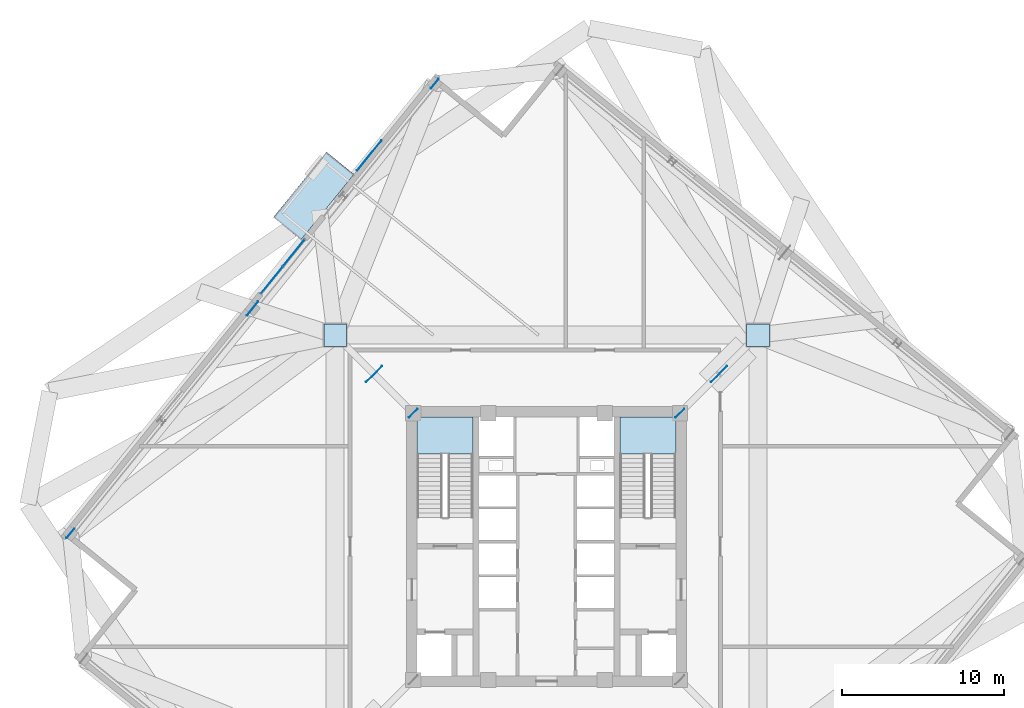
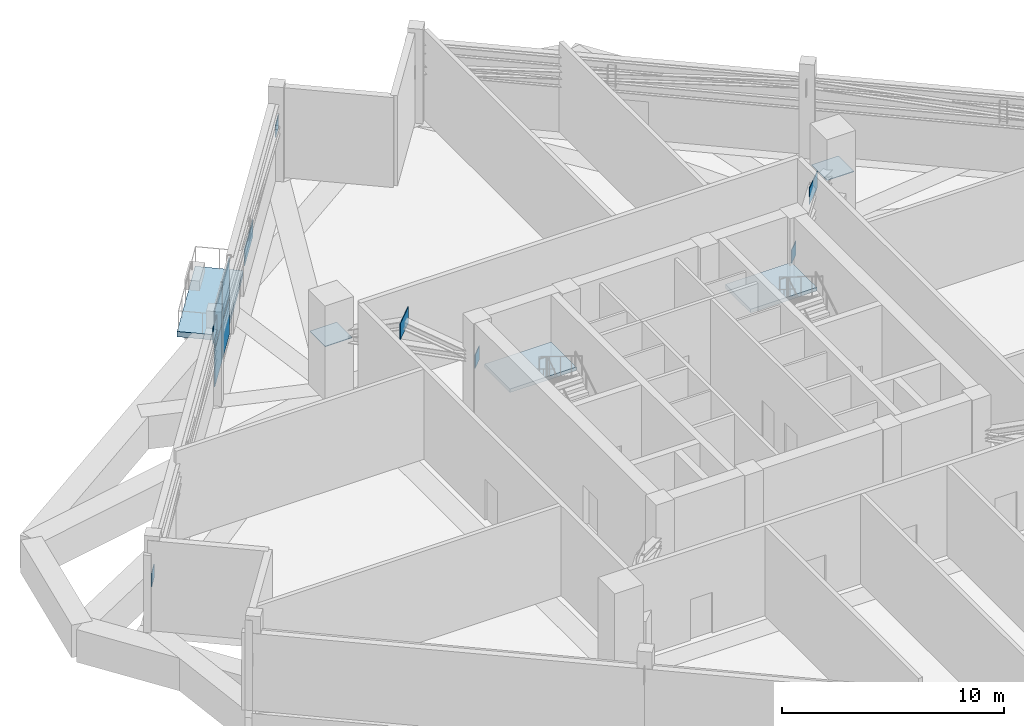
# One storey, part 15 of 22: 14 plates, 3 slabs, 3 elements without a shape of their own.
"""IFC4 building model written with IfcOpenShell, lengths in metres."""

import ifcopenshell
import ifcopenshell.guid

model = None  # the IFC model being written
_history = None  # IfcOwnerHistory: only IFC2X3 demands one
_inside = {}  # id of a spatial element -> (the spatial element, [elements in it])
_under = {}  # id of a project, library or spatial element -> (it, [spatial elements below it])
_declared = {}  # id of a project -> (the project, [libraries it declares])
_typed = {}  # id of a type object -> (the type object, [elements of that type])
_made_of = {}  # id of a material, layer set ... -> (it, [elements and type objects made of it])


def new_model(schema):
    """Start an empty IFC model of exactly this schema.

    Asked for "IFC4X3", IfcOpenShell would pick the latest addendum, in which some entities
    have other attributes; the version numbers below select the first issue.
    IFC2X3 requires an IfcOwnerHistory on every rooted entity: one is made here for all.
    """
    global model, _history
    if schema == "IFC4X3":
        model = ifcopenshell.file(schema_version=(4, 3, 0, 0))
    else:
        model = ifcopenshell.file(schema=schema)
    _inside.clear()
    _under.clear()
    _declared.clear()
    _typed.clear()
    _made_of.clear()
    _history = None
    if model.schema == "IFC2X3":
        org = make("IfcOrganization", Name="unknown")
        user = make(
            "IfcPersonAndOrganization",
            ThePerson=make("IfcPerson", FamilyName="unknown"),
            TheOrganization=org,
        )
        app = make(
            "IfcApplication",
            ApplicationDeveloper=org,
            Version="unknown",
            ApplicationFullName="unknown",
            ApplicationIdentifier="unknown",
        )
        _history = make(
            "IfcOwnerHistory",
            OwningUser=user,
            OwningApplication=app,
            ChangeAction="ADDED",
            CreationDate=0,
        )
    return model


def make(cls, **values):
    """One entity of the class cls with the attributes given. An attribute that is None is left unset."""
    return model.create_entity(
        cls, **{name: value for name, value in values.items() if value is not None}
    )


def rooted(cls, **values):
    """An entity with a GlobalId (a new one), such as an element, a storey or a relation."""
    return make(cls, GlobalId=ifcopenshell.guid.new(), OwnerHistory=_history, **values)


def si_unit(unit_type, name, prefix=None):
    """IfcSIUnit, for example si_unit("LENGTHUNIT", "METRE", prefix="MILLI")."""
    return make("IfcSIUnit", UnitType=unit_type, Prefix=prefix, Name=name)


def assignment(units):
    """IfcUnitAssignment: the units of a project."""
    return None if units is None else make("IfcUnitAssignment", Units=units)


def point(xyz):
    """IfcCartesianPoint."""
    return None if xyz is None else make("IfcCartesianPoint", Coordinates=xyz)


def direction(xyz):
    """IfcDirection."""
    return None if xyz is None else make("IfcDirection", DirectionRatios=xyz)


def frame(location, z_axis=None, x_axis=None):
    """IfcAxis2Placement3D, a coordinate frame: its origin and axes. An axis left out is left unset."""
    return make(
        "IfcAxis2Placement3D",
        Location=point(location),
        Axis=direction(z_axis),
        RefDirection=direction(x_axis),
    )


def frame_2d(location, x_axis=None):
    """IfcAxis2Placement2D, a coordinate frame in the plane: its origin and x axis."""
    return make(
        "IfcAxis2Placement2D", Location=point(location), RefDirection=direction(x_axis)
    )


def origin():
    """The frame at (0, 0, 0) with its axes left unset."""
    return frame((0.0, 0.0, 0.0))


def origin_2d():
    """The frame at (0, 0) in the plane with its x axis left unset."""
    return frame_2d((0.0, 0.0))


def place(relative_to, where):
    """IfcLocalPlacement: puts the frame where relative to a parent placement (None: the world)."""
    return make(
        "IfcLocalPlacement", PlacementRelTo=relative_to, RelativePlacement=where
    )


def context(
    kind, dimensions, precision=None, world=None, true_north=None, identifier=None
):
    """IfcGeometricRepresentationContext, for example the 3D "Model" context."""
    return make(
        "IfcGeometricRepresentationContext",
        ContextIdentifier=identifier,
        ContextType=kind,
        CoordinateSpaceDimension=dimensions,
        Precision=precision,
        WorldCoordinateSystem=world,
        TrueNorth=true_north,
    )


def subcontext(parent, identifier, kind, view, scale=None):
    """IfcGeometricRepresentationSubContext, for example "Body" below "Model"."""
    return make(
        "IfcGeometricRepresentationSubContext",
        ContextIdentifier=identifier,
        ContextType=kind,
        ParentContext=parent,
        TargetScale=scale,
        TargetView=view,
    )


def project(units=None, contexts=None):
    """IfcProject with its units and contexts."""
    return rooted(
        "IfcProject",
        Name="project",
        RepresentationContexts=contexts,
        UnitsInContext=assignment(units),
    )


def spatial(cls, under=None, at=None, **own):
    """A site, building, storey or space (cls), placed at a placement, below another one or the project."""
    s = rooted(cls, ObjectPlacement=at, **own)
    if under is not None:
        _under.setdefault(under.id(), (under, []))[1].append(s)
    return s


def polyline(points):
    """IfcPolyline through the points."""
    return make("IfcPolyline", Points=[point(p) for p in points])


def profile(cls, at=None, kind="AREA", **sizes):
    """A parametric profile (cls). Its sizes go by their IFC names, for example OverallWidth=200.0."""
    return make(cls, ProfileType=kind, Position=at, **sizes)


def rectangle(**sizes):
    """IfcRectangleProfileDef."""
    return profile("IfcRectangleProfileDef", **sizes)


def outline(outer, holes=None, kind="AREA"):
    """IfcArbitraryClosedProfileDef: a profile drawn as a closed curve; with holes, ...WithVoids."""
    if holes is None:
        return make("IfcArbitraryClosedProfileDef", ProfileType=kind, OuterCurve=outer)
    return make(
        "IfcArbitraryProfileDefWithVoids",
        ProfileType=kind,
        OuterCurve=outer,
        InnerCurves=holes,
    )


def extrude(swept, where, along, depth):
    """IfcExtrudedAreaSolid: the profile swept, set in the frame where, extruded along a direction by depth."""
    return make(
        "IfcExtrudedAreaSolid",
        SweptArea=swept,
        Position=where,
        ExtrudedDirection=direction(along),
        Depth=depth,
    )


def shape(context_of_items, identifier, shape_type, items):
    """IfcShapeRepresentation: the items that make up one representation, for example the "Body"."""
    return make(
        "IfcShapeRepresentation",
        ContextOfItems=context_of_items,
        RepresentationIdentifier=identifier,
        RepresentationType=shape_type,
        Items=items,
    )


def source(mapping_origin, context_of_items, identifier, shape_type, items):
    """IfcRepresentationMap: a shape defined once, which mapped items show again and again."""
    return make(
        "IfcRepresentationMap",
        MappingOrigin=mapping_origin,
        MappedRepresentation=shape(context_of_items, identifier, shape_type, items),
    )


def transform(
    local_origin,
    x_axis=None,
    y_axis=None,
    z_axis=None,
    scale=None,
    scale2=None,
    scale3=None,
    uniform=True,
):
    """IfcCartesianTransformationOperator3D, or its non-uniform kind. x_axis, y_axis, z_axis: its Axis1, 2, 3."""
    if uniform:
        return make(
            "IfcCartesianTransformationOperator3D",
            Axis1=direction(x_axis),
            Axis2=direction(y_axis),
            LocalOrigin=point(local_origin),
            Scale=scale,
            Axis3=direction(z_axis),
        )
    return make(
        "IfcCartesianTransformationOperator3DnonUniform",
        Axis1=direction(x_axis),
        Axis2=direction(y_axis),
        LocalOrigin=point(local_origin),
        Scale=scale,
        Axis3=direction(z_axis),
        Scale2=scale2,
        Scale3=scale3,
    )


def mapped(mapping_source, mapping_target):
    """IfcMappedItem: shows the shape of a source again, moved by a transform."""
    return make(
        "IfcMappedItem", MappingSource=mapping_source, MappingTarget=mapping_target
    )


def material(Name=None, Category=None):
    """IfcMaterial."""
    return make("IfcMaterial", Name=Name, Category=Category)


def layer(
    of_material, thickness, ventilated=None, Name=None, Category=None, Priority=None
):
    """IfcMaterialLayer: one layer of a wall or slab, of a material (None: an air gap)."""
    return make(
        "IfcMaterialLayer",
        Material=of_material,
        LayerThickness=thickness,
        IsVentilated=ventilated,
        Name=Name,
        Category=Category,
        Priority=Priority,
    )


def layer_set(layers, Name=None):
    """IfcMaterialLayerSet."""
    return make("IfcMaterialLayerSet", MaterialLayers=layers, LayerSetName=Name)


def made_of(thing, what):
    """Note that an element or type object is made of a material, layer set ...; save() writes the relation."""
    if what is not None:
        _made_of.setdefault(what.id(), (what, []))[1].append(thing)
    return thing


def type_object(cls, material=None, **own):
    """A type object (cls), such as IfcWallType, which elements share."""
    return made_of(rooted(cls, **own), material)


def element(
    cls,
    number,
    at=None,
    inside=None,
    cuts=None,
    type_object=None,
    material=None,
    context=None,
    identifier="Body",
    shape_type=None,
    held_by="IfcProductDefinitionShape",
    body=None,
    shapes=None,
    **own,
):
    """One element of the class cls, such as IfcWall. Its Tag is "e" and its number.

    at: its placement. inside: the storey or other place that contains it. cuts: it is an
    opening in that element (IfcRelVoidsElement). A single representation is given by context,
    identifier, shape_type and body (its items); several are given by shapes. held_by: the class
    of the entity that holds the representations. save() writes the other relations.
    """
    e = rooted(cls, Tag="e%d" % number, ObjectPlacement=at, **own)
    if body is not None:
        shapes = [shape(context, identifier, shape_type, body)]
    if shapes is not None:
        e.Representation = make(held_by, Representations=shapes)
    if inside is not None:
        _inside.setdefault(inside.id(), (inside, []))[1].append(e)
    if cuts is not None:
        rooted(
            "IfcRelVoidsElement", RelatingBuildingElement=cuts, RelatedOpeningElement=e
        )
    if type_object is not None:
        _typed.setdefault(type_object.id(), (type_object, []))[1].append(e)
    return made_of(e, material)


def aggregate(whole, parts):
    """IfcRelAggregates: a whole, such as a stair, and the parts it consists of."""
    return rooted("IfcRelAggregates", RelatingObject=whole, RelatedObjects=parts)


def save(model, path):
    """Write the relations noted so far, then the file.

    IfcRelAggregates (storeys below a building ...), IfcRelContainedInSpatialStructure (elements
    in a storey), IfcRelDefinesByType, IfcRelAssociatesMaterial and IfcRelDeclares: one each for
    every whole, place, type object, material and project.
    """
    for whole, parts in _under.values():
        aggregate(whole, parts)
    for where, things in _inside.values():
        rooted(
            "IfcRelContainedInSpatialStructure",
            RelatedElements=things,
            RelatingStructure=where,
        )
    for kind, things in _typed.values():
        rooted("IfcRelDefinesByType", RelatedObjects=things, RelatingType=kind)
    for what, things in _made_of.values():
        rooted("IfcRelAssociatesMaterial", RelatedObjects=things, RelatingMaterial=what)
    for by, libraries in _declared.values():
        rooted("IfcRelDeclares", RelatingContext=by, RelatedDefinitions=libraries)
    model.write(path)


model = new_model("IFC4")

# Units and contexts
model_context = context("Model", 3, precision=1e-05, world=origin(), true_north=direction((0.0, 1.0)))
body_context = subcontext(model_context, "Body", "Model", "MODEL_VIEW")
ifc_project = project(units=[si_unit("LENGTHUNIT", "METRE"), si_unit("AREAUNIT", "SQUARE_METRE"), si_unit("VOLUMEUNIT", "CUBIC_METRE"), si_unit("PLANEANGLEUNIT", "RADIAN"), si_unit("MASSUNIT", "GRAM", prefix="KILO"), si_unit("THERMODYNAMICTEMPERATUREUNIT", "KELVIN")], contexts=[model_context])

# Site, building, storey
site_placement = place(None, origin())
site = spatial("IfcSite", under=ifc_project, at=site_placement, CompositionType="ELEMENT")
building_placement = place(site_placement, origin())
building = spatial("IfcBuilding", under=site, at=building_placement, Name="Kosmvard Interchange Tower", CompositionType="ELEMENT")
storey_placement = place(building_placement, frame((0.0, 0.0, 200.39990234375)))
storey = spatial("IfcBuildingStorey", under=building, at=storey_placement, Name="L48", CompositionType="ELEMENT", Elevation=200.39990234375)

# Slab
ifc_material_1 = material(Name="Precast concrete C45/55", Category="concrete")
ifc_layer_1 = layer(ifc_material_1, 0.2900390625, Name="Precast concrete C45/55")
ifc_layer_set_1 = layer_set([ifc_layer_1], Name="Precast concrete C45/55")
slab_type_1 = type_object("IfcSlabType", Name="Cascade Garden Terrace Slab 290 C45/55", PredefinedType="FLOOR", material=ifc_layer_set_1)
slab_1_placement = place(storey_placement, frame((0.0, 0.0, -0.289794921875)))
element("IfcSlab", 1, at=slab_1_placement, inside=storey, type_object=slab_type_1, Name="L48 Outdoor Terrace Balcony Slab SKG-L48-N", PredefinedType="FLOOR", context=body_context, shape_type="SweptSolid", body=[
    extrude(outline(polyline([(-15.184814453125, 18.987548828125), (-11.912353515625, 23.028564453125), (-13.6220703125, 24.4130859375), (-16.89453125, 20.3720703125), (-15.184814453125, 18.987548828125)])), origin(), (0.0, 0.0, 1.0), 0.289794921875),
])

# Stair, slab
ifc_material_2 = material(Name="Concrete C50/60", Category="concrete")
stair_type = type_object("IfcStairType", Name="Dog-Leg Core Exit Stair H5200 C50/60", PredefinedType="HALF_TURN_STAIR", material=ifc_material_2)
stair_1_placement = place(storey_placement, origin())
stair_1 = element("IfcStair", 2, at=stair_1_placement, inside=storey, type_object=stair_type, Name="L48 Protected Exit Stair ST-1", PredefinedType="HALF_TURN_STAIR")
ifc_layer_2 = layer(ifc_material_2, 0.199951171875, Name="Concrete C50/60")
ifc_layer_set_2 = layer_set([ifc_layer_2], Name="Concrete C50/60")
slab_type_2 = type_object("IfcSlabType", Name="Stair Half-Landing Slab 200 C50/60", PredefinedType="LANDING", material=ifc_layer_set_2)
slab_2_placement = place(storey_placement, frame((0.0, 0.0, 2.400146484375)))
slab_2 = element("IfcSlab", 3, at=slab_2_placement, type_object=slab_type_2, Name="ST-1 landing 1", PredefinedType="LANDING", context=body_context, shape_type="SweptSolid", body=[
    extrude(outline(polyline([(-4.5400390625, 5.719970703125), (-4.5400390625, 8.0), (-8.0, 8.0), (-8.0, 5.719970703125), (-4.5400390625, 5.719970703125)])), origin(), (0.0, 0.0, 1.0), 0.199951171875),
])
aggregate(stair_1, [slab_2])

stair_2_placement = place(storey_placement, origin())
stair_2 = element("IfcStair", 4, at=stair_2_placement, inside=storey, type_object=stair_type, Name="L48 Protected Exit Stair ST-2", PredefinedType="HALF_TURN_STAIR")
slab_3_placement = place(storey_placement, frame((0.0, 0.0, 2.400146484375)))
slab_3 = element("IfcSlab", 5, at=slab_3_placement, type_object=slab_type_2, Name="ST-2 landing 1", PredefinedType="LANDING", context=body_context, shape_type="SweptSolid", body=[
    extrude(outline(polyline([(8.0, 5.719970703125), (8.0, 8.0), (4.5400390625, 8.0), (4.5400390625, 5.719970703125), (8.0, 5.719970703125)])), origin(), (0.0, 0.0, 1.0), 0.199951171875),
])
aggregate(stair_2, [slab_3])

# Plates
ifc_material_3 = material(Name="Steel S460", Category="steel")
ifc_layer_3 = layer(ifc_material_3, 0.031982421875, Name="Steel S460")
ifc_layer_set_3 = layer_set([ifc_layer_3], Name="Steel S460")
plate_type_1 = type_object("IfcPlateType", Name="Belt Truss Gusset Plate 1100x1100x32 S460", PredefinedType="USERDEFINED", material=ifc_layer_set_3)
shared_shape_1 = source(origin(), body_context, "Body", "SweptSolid", [
    extrude(rectangle(XDim=0.75, YDim=0.031982421875, at=origin_2d()), origin(), (0.0, 0.0, 1.0), 0.75),
])
for number, where, z_axis, x_axis, name in (
    (6, (8.25, 8.25, 2.545166015625), (0.0, 0.0, 1.0), (0.707106781187, 0.707106781187, 0.0), "L48 Outrigger Core End Gusset Plate 3"),
    (7, (-8.25, 8.25, 2.545166015625), (0.0, 0.0, 1.0), (0.707106781187, 0.707106781187, 0.0), "L48 Outrigger Core End Gusset Plate 4"),
    (8, (-6.92041015625, 28.636962890625, 2.445068359375), (0.0, 0.0, 1.0), (0.62932039105, 0.777145961457, 0.0), "L48 Belt Truss End Gusset Plate BAN"),
    (9, (-29.449951171875, 0.815185546875, 2.445068359375), (0.0, 0.0, 1.0), (0.62932039105, 0.777145961457, 0.0), "L48 Belt Truss End Gusset Plate BBN"),
):
    element("IfcPlate", number, at=place(storey_placement, frame(where, z_axis=z_axis, x_axis=x_axis)), inside=storey, type_object=plate_type_1, Name=name, ObjectType="GUSSET_PLATE", PredefinedType="USERDEFINED", context=body_context, shape_type="MappedRepresentation", body=[
        mapped(shared_shape_1, transform((0.0, 0.0, 0.0), scale=1.0)),
    ])
ifc_layer_4 = layer(ifc_material_3, 0.035888671875, Name="Steel S460")
ifc_layer_set_4 = layer_set([ifc_layer_4], Name="Steel S460")
plate_type_2 = type_object("IfcPlateType", Name="Outrigger Node Gusset Plate 1400x1400x36 S460", PredefinedType="USERDEFINED", material=ifc_layer_set_4)
shared_shape_2 = source(origin(), body_context, "Body", "SweptSolid", [
    extrude(rectangle(XDim=1.39990234375, YDim=0.035888671875, at=origin_2d()), origin(), (0.0, 0.0, 1.0), 0.89990234375),
])
for number, where, z_axis, x_axis, name in (
    (10, (10.66552734375, 10.66552734375, 3.710205078125), (0.0, 0.0, 1.0), (0.707106781187, 0.707106781187, 0.0), "L48 Outrigger Node Gusset Plate 3"),
    (11, (-10.66552734375, 10.66552734375, 3.710205078125), (0.0, 0.0, 1.0), (0.707106781187, 0.707106781187, 0.0), "L48 Outrigger Node Gusset Plate 4"),
):
    element("IfcPlate", number, at=place(storey_placement, frame(where, z_axis=z_axis, x_axis=x_axis)), inside=storey, type_object=plate_type_2, Name=name, ObjectType="GUSSET_PLATE", PredefinedType="USERDEFINED", context=body_context, shape_type="MappedRepresentation", body=[
        mapped(shared_shape_2, transform((0.0, 0.0, 0.0), scale=1.0)),
    ])
ifc_layer_5 = layer(ifc_material_3, 0.034912109375, Name="Steel S460")
ifc_layer_set_5 = layer_set([ifc_layer_5], Name="Steel S460")
plate_type_3 = type_object("IfcPlateType", Name="Mega-Column Splice Flange Plate 1400x1400x35 S460", PredefinedType="USERDEFINED", material=ifc_layer_set_5)
shared_shape_3 = source(origin(), body_context, "Body", "SweptSolid", [
    extrude(rectangle(XDim=1.39990234375, YDim=1.39990234375, at=origin_2d()), origin(), (0.0, 0.0, 1.0), 0.034912109375),
])
for number, where, z_axis, x_axis, name in (
    (12, (13.0810546875, 13.0810546875, 2.90283203125), (0.0, 0.0, 1.0), (1.0, 0.0, 0.0), "L48 Mega-Column Splice Flange Plate 3"),
    (13, (-13.0810546875, 13.0810546875, 2.90283203125), (0.0, 0.0, 1.0), (1.0, 0.0, 0.0), "L48 Mega-Column Splice Flange Plate 4"),
):
    element("IfcPlate", number, at=place(storey_placement, frame(where, z_axis=z_axis, x_axis=x_axis)), inside=storey, type_object=plate_type_3, Name=name, ObjectType="FLANGE_PLATE", PredefinedType="USERDEFINED", context=body_context, shape_type="MappedRepresentation", body=[
        mapped(shared_shape_3, transform((0.0, 0.0, 0.0), scale=1.0)),
    ])
shared_shape_4 = source(origin(), body_context, "Body", "SweptSolid", [
    extrude(rectangle(XDim=1.10009765625, YDim=0.031982421875, at=origin_2d()), origin(), (0.0, 0.0, 1.0), 0.89990234375),
])
plate_1_placement = place(storey_placement, frame((-18.185302734375, 14.72607421875, 3.530029296875), z_axis=(0.0, 0.0, 1.0), x_axis=(0.62932039105, 0.777145961457, 0.0)))
element("IfcPlate", 14, at=plate_1_placement, inside=storey, type_object=plate_type_1, Name="L48 Belt Truss Node Gusset Plate N", ObjectType="GUSSET_PLATE", PredefinedType="USERDEFINED", context=body_context, shape_type="MappedRepresentation", body=[
    mapped(shared_shape_4, transform((0.0, 0.0, 0.0), scale=1.0)),
])
ifc_material_4 = material(Name="Architectural anodised aluminium", Category="aluminium")
ifc_layer_6 = layer(ifc_material_4, 0.0400390625, Name="Architectural anodised aluminium")
ifc_layer_set_6 = layer_set([ifc_layer_6], Name="Architectural anodised aluminium")
plate_type_4 = type_object("IfcPlateType", Name="Precast Spandrel Shadow Feature Sheet 2400x900x40", PredefinedType="SHEET", material=ifc_layer_set_6)
shared_shape_5 = source(origin(), body_context, "Body", "SweptSolid", [
    extrude(rectangle(XDim=0.0400390625, YDim=2.39990234375, at=origin_2d()), origin(), (0.0, 0.0, 1.0), 0.89990234375),
])
plate_2_placement = place(storey_placement, frame((-10.957275390625, 24.198486328125, 0.050048828125), z_axis=(0.0, 0.0, 1.0), x_axis=(-0.777146167973, 0.629320136024, 0.0)))
element("IfcPlate", 15, at=plate_2_placement, inside=storey, type_object=plate_type_4, Name="L48 Transfer Spandrel Fascia Sheet N", PredefinedType="SHEET", context=body_context, shape_type="MappedRepresentation", body=[
    mapped(shared_shape_5, transform((0.0, 0.0, 0.0), scale=1.0)),
])

# Curtain wall, plates
ifc_layer_7 = layer(ifc_material_4, 0.179931640625, Name="Architectural anodised aluminium")
ifc_layer_set_7 = layer_set([ifc_layer_7], Name="Architectural anodised aluminium")
curtain_wall_type = type_object("IfcCurtainWallType", Name="CW-3 Sky-Garden Vestibule Curtain Wall", PredefinedType="NOTDEFINED", material=ifc_layer_set_7)
curtain_wall_placement = place(storey_placement, origin())
curtain_wall = element("IfcCurtainWall", 16, at=curtain_wall_placement, inside=storey, type_object=curtain_wall_type, Name="L48 Sky-Garden Curtain Wall N", PredefinedType="NOTDEFINED")
ifc_material_5 = material(Name="Low-E solar-control double glazing", Category="glass")
ifc_layer_8 = layer(ifc_material_5, 0.031982421875, Name="Low-E solar-control double glazing")
ifc_layer_set_8 = layer_set([ifc_layer_8], Name="Low-E solar-control double glazing")
plate_type_5 = type_object("IfcPlateType", Name="Sky-Garden Vision Curtain Panel 32", PredefinedType="CURTAIN_PANEL", material=ifc_layer_set_8)
shared_shape_6 = source(origin(), body_context, "Body", "SweptSolid", [
    extrude(rectangle(XDim=2.1025390625, YDim=0.031982421875, at=origin_2d()), origin(), (0.0, 0.0, 1.0), 2.090087890625),
])
plate_3_placement = place(storey_placement, frame((-15.629150390625, 18.16845703125, 0.06005859375), z_axis=(0.0, 0.0, 1.0), x_axis=(-0.629320317751, -0.777146020813, 0.0)))
plate_3 = element("IfcPlate", 17, at=plate_3_placement, type_object=plate_type_5, Name="CW-3 panel 1.1", PredefinedType="CURTAIN_PANEL", context=body_context, shape_type="MappedRepresentation", body=[
    mapped(shared_shape_6, transform((0.0, 0.0, 0.0), scale=1.0)),
])
plate_4_placement = place(storey_placement, frame((-15.629150390625, 18.16845703125, 2.2099609375), z_axis=(0.0, 0.0, 1.0), x_axis=(-0.629320317751, -0.777146020813, 0.0)))
plate_4 = element("IfcPlate", 18, at=plate_4_placement, type_object=plate_type_5, Name="CW-3 panel 1.2", PredefinedType="CURTAIN_PANEL", context=body_context, shape_type="MappedRepresentation", body=[
    mapped(shared_shape_6, transform((0.0, 0.0, 0.0), scale=1.0)),
])
plate_5_placement = place(storey_placement, frame((-16.993408203125, 16.484130859375, 0.06005859375), z_axis=(0.0, 0.0, 1.0), x_axis=(-0.629320317751, -0.777146020813, 0.0)))
plate_5 = element("IfcPlate", 19, at=plate_5_placement, type_object=plate_type_5, Name="CW-3 panel 2.1", PredefinedType="CURTAIN_PANEL", context=body_context, shape_type="MappedRepresentation", body=[
    mapped(shared_shape_6, transform((0.0, 0.0, 0.0), scale=1.0)),
])
plate_6_placement = place(storey_placement, frame((-16.993408203125, 16.484130859375, 2.2099609375), z_axis=(0.0, 0.0, 1.0), x_axis=(-0.629320317751, -0.777146020813, 0.0)))
plate_6 = element("IfcPlate", 20, at=plate_6_placement, type_object=plate_type_5, Name="CW-3 panel 2.2", PredefinedType="CURTAIN_PANEL", context=body_context, shape_type="MappedRepresentation", body=[
    mapped(shared_shape_6, transform((0.0, 0.0, 0.0), scale=1.0)),
])
aggregate(curtain_wall, [plate_3, plate_4, plate_5, plate_6])

save(model, "model.ifc")
